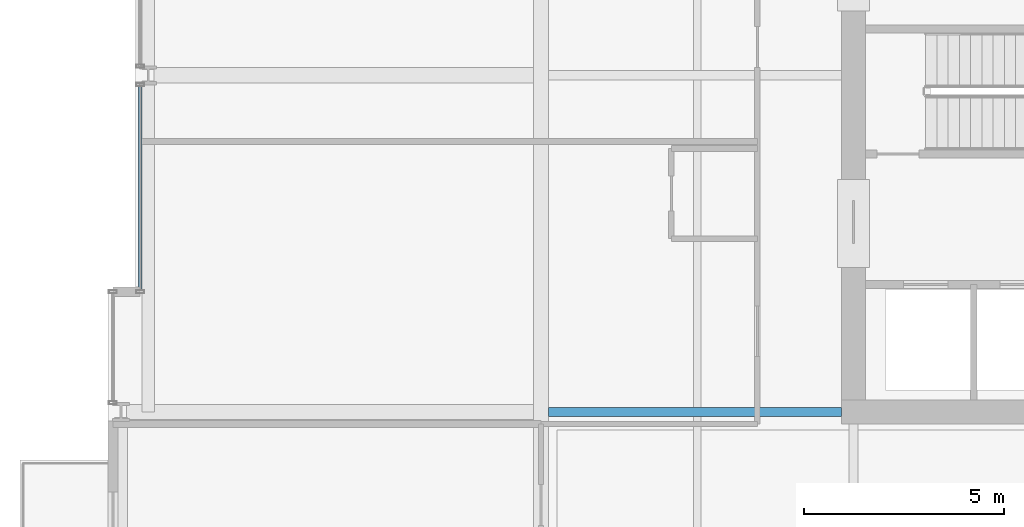
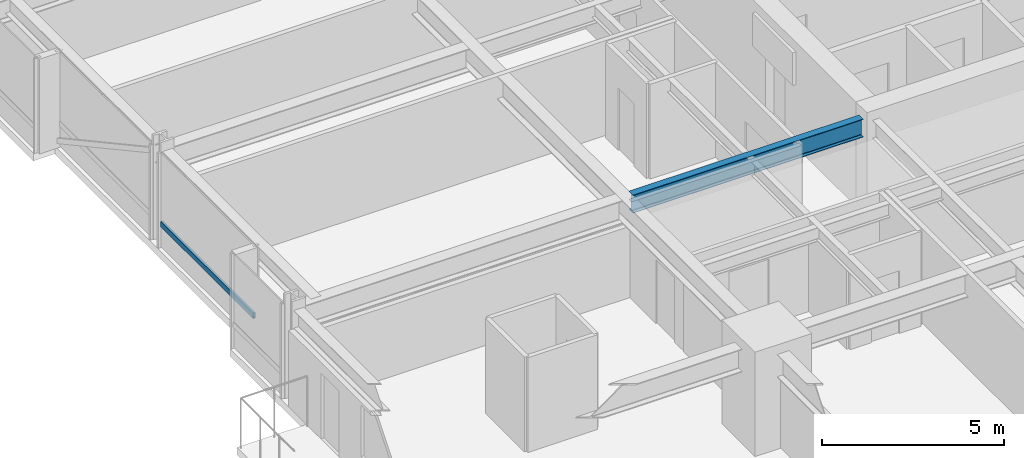
# One storey, part 8 of 37: 1 beam, 1 member, 1 element without a shape of its own.
"""IFC4 building model written with IfcOpenShell, lengths in metres."""

from ifc_helpers import new_model, si_unit, direction, frame, origin, origin_2d, place, context, subcontext, project, spatial, hollow_rectangle, i_section, extrude, material, layer, layer_set, material_profile, profile_set, type_object, element, aggregate, save


model = new_model("IFC4")

# Units and contexts
model_context = context("Model", 3, precision=1e-05, world=origin(), true_north=direction((0.0, 1.0)))
body_context = subcontext(model_context, "Body", "Model", "MODEL_VIEW")
ifc_project = project(units=[si_unit("LENGTHUNIT", "METRE"), si_unit("AREAUNIT", "SQUARE_METRE"), si_unit("VOLUMEUNIT", "CUBIC_METRE"), si_unit("PLANEANGLEUNIT", "RADIAN"), si_unit("MASSUNIT", "GRAM", prefix="KILO")], contexts=[model_context])

# Site, building, storey
site_placement = place(None, origin())
site = spatial("IfcSite", under=ifc_project, at=site_placement, CompositionType="ELEMENT")
building_placement = place(site_placement, origin())
building = spatial("IfcBuilding", under=site, at=building_placement, Name="Drelvath Grand Hotel", CompositionType="ELEMENT")
storey_placement = place(building_placement, frame((0.0, 0.0, 78.699951171875)))
storey = spatial("IfcBuildingStorey", under=building, at=storey_placement, Name="L19", CompositionType="ELEMENT", Elevation=78.699951171875)

# Curtain wall, member
ifc_material_1 = material(Name="Warm Bronze Anodised Aluminium Frame", Category="aluminium")
ifc_layer = layer(ifc_material_1, 0.199951171875)
ifc_layer_set = layer_set([ifc_layer], Name="Warm Bronze Anodised Aluminium Frame")
curtain_wall_type = type_object("IfcCurtainWallType", Name="Stick Curtain Wall CW-02 Warm Bronze Low-Rise", PredefinedType="NOTDEFINED", material=ifc_layer_set)
curtain_wall_placement = place(storey_placement, origin())
curtain_wall = element("IfcCurtainWall", 1, at=curtain_wall_placement, inside=storey, type_object=curtain_wall_type, Name="L19 CW-02 Curtain Wall CW02-L19-WM1", PredefinedType="NOTDEFINED")
ifc_material_profile_1 = material_profile(ifc_material_1, hollow_rectangle(XDim=0.074951171875, YDim=0.179931640625, WallThickness=0.0048828125, at=origin_2d()), Name="HSS180X75X5")
ifc_profile_set_1 = profile_set([ifc_material_profile_1], Name="Warm Bronze Anodised Aluminium Frame")
member_type = type_object("IfcMemberType", Name="Curtain Wall Horizontal Transom CW-02 HSS180X75X5", PredefinedType="USERDEFINED", material=ifc_profile_set_1)
member_placement = place(storey_placement, frame((-26.199951171875, 21.639892578125, 0.795166015625), z_axis=(0.0, 1.0, 0.0), x_axis=(-1.0, 0.0, 0.0)))
member = element("IfcMember", 2, at=member_placement, type_object=member_type, Name="CW02-L19-WM1 Sill Transom", ObjectType="TRANSOM", PredefinedType="USERDEFINED", context=body_context, shape_type="SweptSolid", body=[
    extrude(hollow_rectangle(XDim=0.074951171875, YDim=0.179931640625, WallThickness=0.0048828125, at=origin_2d()), origin(), (0.0, 0.0, 1.0), 5.091064453125),
])
aggregate(curtain_wall, [member])

# Beam
ifc_material_2 = material(Name="Steel ASTM A992 Gr 50", Category="steel")
ifc_material_profile_2 = material_profile(ifc_material_2, i_section(OverallWidth=0.228271484375, OverallDepth=0.607666015625, WebThickness=0.01123046875, FlangeThickness=0.017333984375, FilletRadius=0.02001953125, at=origin_2d()), Name="W24X76")
ifc_profile_set_2 = profile_set([ifc_material_profile_2], Name="Steel ASTM A992 Gr 50")
beam_type = type_object("IfcBeamType", Name="Primary Floor Girder W24X76", PredefinedType="BEAM", material=ifc_profile_set_2)
beam_placement = place(storey_placement, frame((-16.009765625, 18.60009765625, 2.876220703125), z_axis=(1.0, 0.0, 0.0), x_axis=(0.0, 1.0, 0.0)))
element("IfcBeam", 3, at=beam_placement, inside=storey, type_object=beam_type, Name="L19 West Core Tie D", PredefinedType="BEAM", context=body_context, shape_type="SweptSolid", body=[
    extrude(i_section(OverallWidth=0.228271484375, OverallDepth=0.607666015625, WebThickness=0.01123046875, FlangeThickness=0.017333984375, FilletRadius=0.02001953125, at=origin_2d()), origin(), (0.0, 0.0, 1.0), 7.309814453125),
])

save(model, "model.ifc")
